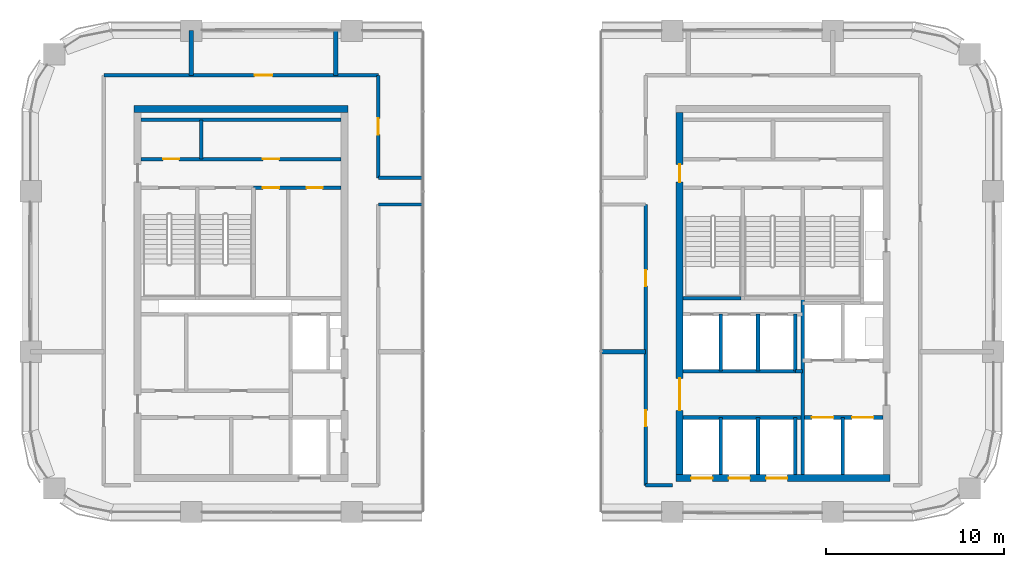
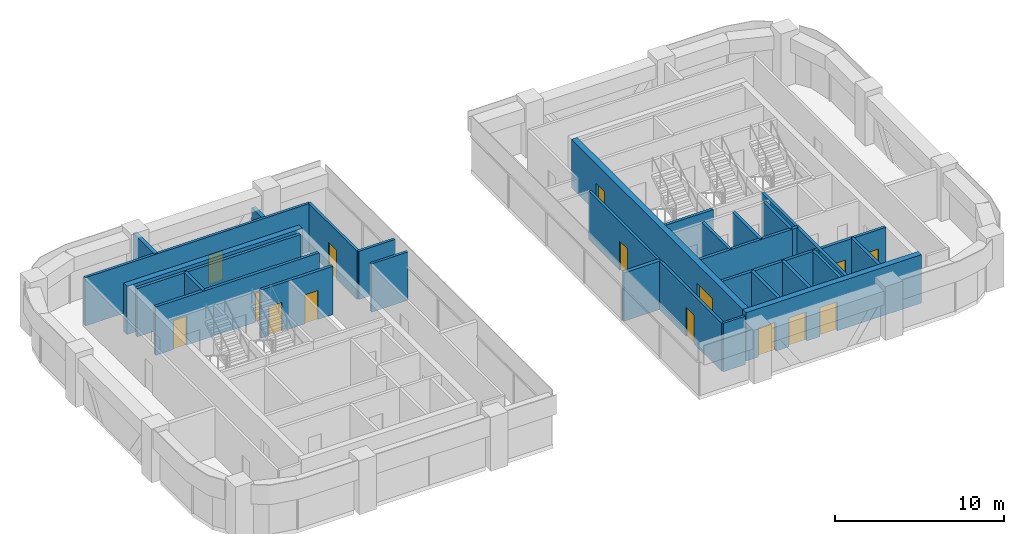
# One storey, part 7 of 11: 28 walls, 15 doors, 15 openings.
"""IFC4 building model written with IfcOpenShell, lengths in metres."""

from ifc_helpers import new_model, si_unit, direction, frame, frame_2d, origin, place, context, subcontext, project, spatial, rectangle, extrude, material, layer, layer_set, type_object, element, fill, save


model = new_model("IFC4")

# Units and contexts
model_context = context("Model", 3, precision=1e-05, world=origin(), true_north=direction((0.0, 1.0)))
body_context = subcontext(model_context, "Body", "Model", "MODEL_VIEW")
ifc_project = project(units=[si_unit("LENGTHUNIT", "METRE"), si_unit("AREAUNIT", "SQUARE_METRE"), si_unit("VOLUMEUNIT", "CUBIC_METRE"), si_unit("PLANEANGLEUNIT", "RADIAN"), si_unit("MASSUNIT", "GRAM", prefix="KILO")], contexts=[model_context])

# Site, building, storey
site_placement = place(None, origin())
site = spatial("IfcSite", under=ifc_project, at=site_placement, CompositionType="ELEMENT")
building_placement = place(site_placement, origin())
building = spatial("IfcBuilding", under=site, at=building_placement, Name="Tessera Arch", CompositionType="ELEMENT")
storey_placement = place(building_placement, frame((0.0, 0.0, 222.800048828125)))
storey = spatial("IfcBuildingStorey", under=building, at=storey_placement, Name="L53", CompositionType="ELEMENT", Elevation=222.800048828125)

# Walls
ifc_material_1 = material(Name="Gypsum board on steel stud", Category="steel")
ifc_layer_1 = layer(ifc_material_1, 0.125)
ifc_layer_set_1 = layer_set([ifc_layer_1], Name="Core partition 125 EI 60")
wall_type_1 = type_object("IfcWallType", Name="Core partition 125 EI 60", PredefinedType="PARTITIONING", material=ifc_layer_set_1)
wall_1_placement = place(storey_placement, frame((42.89990234375, 34.89990234375, 0.0), z_axis=(0.0, 0.0, 1.0), x_axis=(1.0, 0.0, 0.0)))
element("IfcWall", 1, at=wall_1_placement, inside=storey, type_object=wall_type_1, Name="L53 C1 partition wall 19", PredefinedType="PARTITIONING", context=body_context, shape_type="SweptSolid", body=[
    extrude(rectangle(XDim=0.400146484375, YDim=0.199951171875, at=frame_2d((0.2001953125, 0.0))), origin(), (0.0, 0.0, 1.0), 3.5),
])
wall_2_placement = place(storey_placement, frame((9.56005859375, 46.800048828125, 0.0), z_axis=(0.0, 0.0, 1.0), x_axis=(0.0, 1.0, 0.0)))
element("IfcWall", 2, at=wall_2_placement, inside=storey, type_object=wall_type_1, Name="L53 C2 partition wall 4", PredefinedType="PARTITIONING", context=body_context, shape_type="SweptSolid", body=[
    extrude(rectangle(XDim=2.199951171875, YDim=0.199951171875, at=frame_2d((1.10009765625, 0.0))), origin(), (0.0, 0.0, 1.0), 3.5),
])

# Wall, openings, doors
wall_3_placement = place(storey_placement, frame((12.5, 45.199951171875, 0.0), z_axis=(0.0, 0.0, 1.0), x_axis=(1.0, 0.0, 0.0)))
wall_3 = element("IfcWall", 3, at=wall_3_placement, inside=storey, type_object=wall_type_1, Name="L53 C2 partition wall 23", PredefinedType="PARTITIONING", context=body_context, shape_type="SweptSolid", body=[
    extrude(rectangle(XDim=4.89990234375, YDim=0.199951171875, at=frame_2d((2.449951171875, 0.0))), origin(), (0.0, 0.0, 1.0), 3.5),
])
opening_1_placement = place(wall_3_placement, frame((0.530029296875, 0.0, 0.0)))
opening_1 = element("IfcOpeningElement", 4, at=opening_1_placement, cuts=wall_3, Name="Opening L53-C31", PredefinedType="OPENING", context=body_context, shape_type="SweptSolid", body=[
    extrude(rectangle(XDim=0.89990234375, YDim=2.10009765625, at=frame_2d((0.449951171875, 1.050048828125))), frame((0.0, 0.10986328125, 0.0), z_axis=(0.0, -1.0, 0.0), x_axis=(1.0, 0.0, 0.0)), (0.0, 0.0, 1.0), 0.219970703125),
])
opening_2_placement = place(wall_3_placement, frame((2.97998046875, 0.0, 0.0)))
opening_2 = element("IfcOpeningElement", 5, at=opening_2_placement, cuts=wall_3, Name="Opening L53-C32", PredefinedType="OPENING", context=body_context, shape_type="SweptSolid", body=[
    extrude(rectangle(XDim=0.89990234375, YDim=2.10009765625, at=frame_2d((0.449951171875, 1.050048828125))), frame((0.0, 0.10986328125, 0.0), z_axis=(0.0, -1.0, 0.0), x_axis=(1.0, 0.0, 0.0)), (0.0, 0.0, 1.0), 0.219970703125),
])
ifc_material_2 = material(Name="Steel door leaf", Category="steel")
door_type_1 = type_object("IfcDoorType", Name="Store door FD30S 900 x 2100", OperationType="SINGLE_SWING_LEFT", PredefinedType="DOOR", material=ifc_material_2)
door_1_placement = place(opening_1_placement, origin())
door_1 = element("IfcDoor", 6, at=door_1_placement, inside=storey, type_object=door_type_1, Name="L53 C2 door 12 C31 type D09", OperationType="SINGLE_SWING_LEFT", OverallHeight=2.10009765625, OverallWidth=0.89990234375, PredefinedType="DOOR", context=body_context, shape_type="SweptSolid", body=[
    extrude(rectangle(XDim=0.89990234375, YDim=2.10009765625, at=frame_2d((0.449951171875, 1.050048828125))), frame((0.0, 0.02490234375, 0.0), z_axis=(0.0, -1.0, 0.0), x_axis=(1.0, 0.0, 0.0)), (0.0, 0.0, 1.0), 0.050048828125),
])
fill(opening_1, door_1)
door_2_placement = place(opening_2_placement, origin())
door_2 = element("IfcDoor", 7, at=door_2_placement, inside=storey, type_object=door_type_1, Name="L53 C2 door 13 C32 type D09", OperationType="SINGLE_SWING_RIGHT", OverallHeight=2.10009765625, OverallWidth=0.89990234375, PredefinedType="DOOR", context=body_context, shape_type="SweptSolid", body=[
    extrude(rectangle(XDim=0.89990234375, YDim=2.10009765625, at=frame_2d((0.449951171875, 1.050048828125))), frame((0.0, 0.02490234375, 0.0), z_axis=(0.0, -1.0, 0.0), x_axis=(1.0, 0.0, 0.0)), (0.0, 0.0, 1.0), 0.050048828125),
])
fill(opening_2, door_2)

wall_4_placement = place(storey_placement, frame((6.199951171875, 46.800048828125, 0.0), z_axis=(0.0, 0.0, 1.0), x_axis=(1.0, 0.0, 0.0)))
wall_4 = element("IfcWall", 8, at=wall_4_placement, inside=storey, type_object=wall_type_1, Name="L53 C2 partition wall 25", PredefinedType="PARTITIONING", context=body_context, shape_type="SweptSolid", body=[
    extrude(rectangle(XDim=11.199951171875, YDim=0.199951171875, at=frame_2d((5.60009765625, 0.0))), origin(), (0.0, 0.0, 1.0), 3.5),
])
opening_3_placement = place(wall_4_placement, frame((1.22998046875, 0.0, 0.0)))
opening_3 = element("IfcOpeningElement", 9, at=opening_3_placement, cuts=wall_4, Name="Opening L53-C29", PredefinedType="OPENING", context=body_context, shape_type="SweptSolid", body=[
    extrude(rectangle(XDim=0.89990234375, YDim=2.10009765625, at=frame_2d((0.449951171875, 1.050048828125))), frame((0.0, 0.10986328125, 0.0), z_axis=(0.0, -1.0, 0.0), x_axis=(1.0, 0.0, 0.0)), (0.0, 0.0, 1.0), 0.219970703125),
])
opening_4_placement = place(wall_4_placement, frame((6.830078125, 0.0, 0.0)))
opening_4 = element("IfcOpeningElement", 10, at=opening_4_placement, cuts=wall_4, Name="Opening L53-C30", PredefinedType="OPENING", context=body_context, shape_type="SweptSolid", body=[
    extrude(rectangle(XDim=0.89990234375, YDim=2.10009765625, at=frame_2d((0.449951171875, 1.050048828125))), frame((0.0, 0.10986328125, 0.0), z_axis=(0.0, -1.0, 0.0), x_axis=(1.0, 0.0, 0.0)), (0.0, 0.0, 1.0), 0.219970703125),
])
door_3_placement = place(opening_3_placement, origin())
door_3 = element("IfcDoor", 11, at=door_3_placement, inside=storey, type_object=door_type_1, Name="L53 C2 door 10 C29 type D09", OperationType="SINGLE_SWING_LEFT", OverallHeight=2.10009765625, OverallWidth=0.89990234375, PredefinedType="DOOR", context=body_context, shape_type="SweptSolid", body=[
    extrude(rectangle(XDim=0.89990234375, YDim=2.10009765625, at=frame_2d((0.449951171875, 1.050048828125))), frame((0.0, 0.02490234375, 0.0), z_axis=(0.0, -1.0, 0.0), x_axis=(1.0, 0.0, 0.0)), (0.0, 0.0, 1.0), 0.050048828125),
])
fill(opening_3, door_3)
door_4_placement = place(opening_4_placement, origin())
door_4 = element("IfcDoor", 12, at=door_4_placement, inside=storey, type_object=door_type_1, Name="L53 C2 door 11 C30 type D09", OperationType="SINGLE_SWING_RIGHT", OverallHeight=2.10009765625, OverallWidth=0.89990234375, PredefinedType="DOOR", context=body_context, shape_type="SweptSolid", body=[
    extrude(rectangle(XDim=0.89990234375, YDim=2.10009765625, at=frame_2d((0.449951171875, 1.050048828125))), frame((0.0, 0.02490234375, 0.0), z_axis=(0.0, -1.0, 0.0), x_axis=(1.0, 0.0, 0.0)), (0.0, 0.0, 1.0), 0.050048828125),
])
fill(opening_4, door_4)

# Wall
wall_5_placement = place(storey_placement, frame((6.199951171875, 49.0, 0.0), z_axis=(0.0, 0.0, 1.0), x_axis=(1.0, 0.0, 0.0)))
element("IfcWall", 13, at=wall_5_placement, inside=storey, type_object=wall_type_1, Name="L53 C2 partition wall 26", PredefinedType="PARTITIONING", context=body_context, shape_type="SweptSolid", body=[
    extrude(rectangle(XDim=11.199951171875, YDim=0.199951171875, at=frame_2d((5.60009765625, 0.0))), origin(), (0.0, 0.0, 1.0), 3.5),
])

# Wall, openings, doors
ifc_material_3 = material(Name="Concrete C50/60", Category="concrete")
ifc_layer_2 = layer(ifc_material_3, 0.39990234375)
ifc_layer_set_2 = layer_set([ifc_layer_2], Name="Core shell wall 400 C50-60")
wall_type_2 = type_object("IfcWallType", Name="Core shell wall 400 C50-60", PredefinedType="SHEAR", material=ifc_layer_set_2)
wall_6_placement = place(storey_placement, frame((36.199951171875, 28.89990234375, 0.0), z_axis=(0.0, 0.0, 1.0), x_axis=(1.0, 0.0, 0.0)))
wall_6 = element("IfcWall", 14, at=wall_6_placement, inside=storey, type_object=wall_type_2, Name="L53 C1 core wall S", PredefinedType="SHEAR", context=body_context, shape_type="SweptSolid", body=[
    extrude(rectangle(XDim=12.0, YDim=0.39990234375, at=frame_2d((6.0, 0.0))), origin(), (0.0, 0.0, 1.0), 3.5),
])
opening_5_placement = place(wall_6_placement, frame((0.85009765625, 0.0, 0.0)))
opening_5 = element("IfcOpeningElement", 15, at=opening_5_placement, cuts=wall_6, Name="Opening L53-C01", PredefinedType="OPENING", context=body_context, shape_type="SweptSolid", body=[
    extrude(rectangle(XDim=1.199951171875, YDim=2.10009765625, at=frame_2d((0.60009765625, 1.050048828125))), frame((0.0, 0.2099609375, 0.0), z_axis=(0.0, -1.0, 0.0), x_axis=(1.0, 0.0, 0.0)), (0.0, 0.0, 1.0), 0.419921875),
])
opening_6_placement = place(wall_6_placement, frame((2.949951171875, 0.0, 0.0)))
opening_6 = element("IfcOpeningElement", 16, at=opening_6_placement, cuts=wall_6, Name="Opening L53-C03", PredefinedType="OPENING", context=body_context, shape_type="SweptSolid", body=[
    extrude(rectangle(XDim=1.199951171875, YDim=2.10009765625, at=frame_2d((0.60009765625, 1.050048828125))), frame((0.0, 0.2099609375, 0.0), z_axis=(0.0, -1.0, 0.0), x_axis=(1.0, 0.0, 0.0)), (0.0, 0.0, 1.0), 0.419921875),
])
opening_7_placement = place(wall_6_placement, frame((5.050048828125, 0.0, 0.0)))
opening_7 = element("IfcOpeningElement", 17, at=opening_7_placement, cuts=wall_6, Name="Opening L53-C05", PredefinedType="OPENING", context=body_context, shape_type="SweptSolid", body=[
    extrude(rectangle(XDim=1.199951171875, YDim=2.10009765625, at=frame_2d((0.60009765625, 1.050048828125))), frame((0.0, 0.2099609375, 0.0), z_axis=(0.0, -1.0, 0.0), x_axis=(1.0, 0.0, 0.0)), (0.0, 0.0, 1.0), 0.419921875),
])
ifc_material_4 = material(Name="Stainless steel AISI 304", Category="steel")
door_type_2 = type_object("IfcDoorType", Name="Sliding landing door 1200 x 2100", OperationType="SLIDING_TO_LEFT", PredefinedType="DOOR", material=ifc_material_4)
door_5_placement = place(opening_5_placement, origin())
door_5 = element("IfcDoor", 18, at=door_5_placement, inside=storey, type_object=door_type_2, Name="L53 HR1 lift landing door C01 type LD", OperationType="SLIDING_TO_LEFT", OverallHeight=2.10009765625, OverallWidth=1.199951171875, PredefinedType="DOOR", context=body_context, shape_type="SweptSolid", body=[
    extrude(rectangle(XDim=1.199951171875, YDim=2.10009765625, at=frame_2d((0.60009765625, 1.050048828125))), frame((0.0, 0.02490234375, 0.0), z_axis=(0.0, -1.0, 0.0), x_axis=(1.0, 0.0, 0.0)), (0.0, 0.0, 1.0), 0.050048828125),
])
fill(opening_5, door_5)
door_6_placement = place(opening_6_placement, origin())
door_6 = element("IfcDoor", 19, at=door_6_placement, inside=storey, type_object=door_type_2, Name="L53 HR2 lift landing door C03 type LD", OperationType="SLIDING_TO_LEFT", OverallHeight=2.10009765625, OverallWidth=1.199951171875, PredefinedType="DOOR", context=body_context, shape_type="SweptSolid", body=[
    extrude(rectangle(XDim=1.199951171875, YDim=2.10009765625, at=frame_2d((0.60009765625, 1.050048828125))), frame((0.0, 0.02490234375, 0.0), z_axis=(0.0, -1.0, 0.0), x_axis=(1.0, 0.0, 0.0)), (0.0, 0.0, 1.0), 0.050048828125),
])
fill(opening_6, door_6)
door_7_placement = place(opening_7_placement, origin())
door_7 = element("IfcDoor", 20, at=door_7_placement, inside=storey, type_object=door_type_2, Name="L53 HR3 lift landing door C05 type LD", OperationType="SLIDING_TO_LEFT", OverallHeight=2.10009765625, OverallWidth=1.199951171875, PredefinedType="DOOR", context=body_context, shape_type="SweptSolid", body=[
    extrude(rectangle(XDim=1.199951171875, YDim=2.10009765625, at=frame_2d((0.60009765625, 1.050048828125))), frame((0.0, 0.02490234375, 0.0), z_axis=(0.0, -1.0, 0.0), x_axis=(1.0, 0.0, 0.0)), (0.0, 0.0, 1.0), 0.050048828125),
])
fill(opening_7, door_7)

wall_7_placement = place(storey_placement, frame((36.39990234375, 29.10009765625, 0.0), z_axis=(0.0, 0.0, 1.0), x_axis=(0.0, 1.0, 0.0)))
wall_7 = element("IfcWall", 21, at=wall_7_placement, inside=storey, type_object=wall_type_2, Name="L53 C1 core wall W", PredefinedType="SHEAR", context=body_context, shape_type="SweptSolid", body=[
    extrude(rectangle(XDim=20.2998046875, YDim=0.39990234375, at=frame_2d((10.14990234375, 0.0))), origin(), (0.0, 0.0, 1.0), 3.5),
])
opening_8_placement = place(wall_7_placement, frame((3.60009765625, 0.0, 0.0)))
opening_8 = element("IfcOpeningElement", 22, at=opening_8_placement, cuts=wall_7, Name="Opening L53-C10", PredefinedType="OPENING", context=body_context, shape_type="SweptSolid", body=[
    extrude(rectangle(XDim=1.800048828125, YDim=2.10009765625, at=frame_2d((0.89990234375, 1.050048828125))), frame((0.0, 0.2099609375, 0.0), z_axis=(0.0, -1.0, 0.0), x_axis=(1.0, 0.0, 0.0)), (0.0, 0.0, 1.0), 0.419921875),
])
opening_9_placement = place(wall_7_placement, frame((16.39990234375, 0.0, 0.0)))
opening_9 = element("IfcOpeningElement", 23, at=opening_9_placement, cuts=wall_7, Name="Opening L53-C17", PredefinedType="OPENING", context=body_context, shape_type="SweptSolid", body=[
    extrude(rectangle(XDim=1.0, YDim=2.10009765625, at=frame_2d((0.5, 1.050048828125))), frame((0.0, 0.2099609375, 0.0), z_axis=(0.0, -1.0, 0.0), x_axis=(1.0, 0.0, 0.0)), (0.0, 0.0, 1.0), 0.419921875),
])
ifc_material_5 = material(Name="Steel door leaf", Category="steel")
door_type_3 = type_object("IfcDoorType", Name="Corridor door FD60 1000 x 2100", OperationType="SINGLE_SWING_LEFT", PredefinedType="DOOR", material=ifc_material_5)
door_8_placement = place(opening_9_placement, origin())
door_8 = element("IfcDoor", 24, at=door_8_placement, inside=storey, type_object=door_type_3, Name="L53 C1 door 17 C17 type D12", OperationType="SINGLE_SWING_RIGHT", OverallHeight=2.10009765625, OverallWidth=1.0, PredefinedType="DOOR", context=body_context, shape_type="SweptSolid", body=[
    extrude(rectangle(XDim=1.0, YDim=2.10009765625, at=frame_2d((0.5, 1.050048828125))), frame((0.0, 0.02490234375, 0.0), z_axis=(0.0, -1.0, 0.0), x_axis=(1.0, 0.0, 0.0)), (0.0, 0.0, 1.0), 0.050048828125),
])
fill(opening_9, door_8)
ifc_material_6 = material(Name="Glazed steel door leaf", Category="steel")
door_type_4 = type_object("IfcDoorType", Name="Lobby double door FD30S 1800 x 2100", OperationType="DOUBLE_DOOR_SINGLE_SWING", PredefinedType="DOOR", material=ifc_material_6)
door_9_placement = place(opening_8_placement, origin())
door_9 = element("IfcDoor", 25, at=door_9_placement, inside=storey, type_object=door_type_4, Name="L53 C1 door 10 C10 type D06", OperationType="DOUBLE_DOOR_SINGLE_SWING", OverallHeight=2.10009765625, OverallWidth=1.800048828125, PredefinedType="DOOR", context=body_context, shape_type="SweptSolid", body=[
    extrude(rectangle(XDim=1.800048828125, YDim=2.10009765625, at=frame_2d((0.89990234375, 1.050048828125))), frame((0.0, 0.02490234375, 0.0), z_axis=(0.0, -1.0, 0.0), x_axis=(1.0, 0.0, 0.0)), (0.0, 0.0, 1.0), 0.050048828125),
])
fill(opening_8, door_9)

# Walls
wall_8_placement = place(storey_placement, frame((5.800048828125, 49.60009765625, 0.0), z_axis=(0.0, 0.0, 1.0), x_axis=(1.0, 0.0, 0.0)))
element("IfcWall", 26, at=wall_8_placement, inside=storey, type_object=wall_type_2, Name="L53 C2 core wall N", PredefinedType="SHEAR", context=body_context, shape_type="SweptSolid", body=[
    extrude(rectangle(XDim=12.0, YDim=0.39990234375, at=frame_2d((6.0, 0.0))), origin(), (0.0, 0.0, 1.0), 3.5),
])
ifc_material_7 = material(Name="Gypsum board on deep steel stud with mineral wool", Category="steel")
ifc_layer_3 = layer(ifc_material_7, 0.175048828125)
ifc_layer_set_3 = layer_set([ifc_layer_3], Name="Corridor wall 175 EI 60")
wall_type_3 = type_object("IfcWallType", Name="Corridor wall 175 EI 60", PredefinedType="PARTITIONING", material=ifc_layer_set_3)
wall_9_placement = place(storey_placement, frame((34.5, 28.5, 0.0), z_axis=(0.0, 0.0, 1.0), x_axis=(1.0, 0.0, 0.0)))
element("IfcWall", 27, at=wall_9_placement, inside=storey, type_object=wall_type_3, Name="L53 partition 3", PredefinedType="PARTITIONING", context=body_context, shape_type="SweptSolid", body=[
    extrude(rectangle(XDim=1.5, YDim=0.175048828125, at=frame_2d((0.75, 0.0))), origin(), (0.0, 0.0, 1.0), 3.5),
])
for number, where, z_axis, x_axis, name in (
    (28, (19.5, 44.25, 0.0), (0.0, 0.0, 1.0), (1.0, 0.0, 0.0), "L53 partition 5"),
    (29, (19.5, 45.75, 0.0), (0.0, 0.0, 1.0), (1.0, 0.0, 0.0), "L53 partition 7"),
):
    element("IfcWall", number, at=place(storey_placement, frame(where, z_axis=z_axis, x_axis=x_axis)), inside=storey, type_object=wall_type_3, Name=name, PredefinedType="PARTITIONING", context=body_context, shape_type="SweptSolid", body=[
        extrude(rectangle(XDim=2.5, YDim=0.175048828125, at=frame_2d((1.25, 0.0))), origin(), (0.0, 0.0, 1.0), 3.5),
    ])

# Wall, opening, door
wall_10_placement = place(storey_placement, frame((4.10009765625, 51.5, 0.0), z_axis=(0.0, 0.0, 1.0), x_axis=(1.0, 0.0, 0.0)))
wall_10 = element("IfcWall", 30, at=wall_10_placement, inside=storey, type_object=wall_type_3, Name="L53 partition 9", PredefinedType="PARTITIONING", context=body_context, shape_type="SweptSolid", body=[
    extrude(rectangle(XDim=15.39990234375, YDim=0.175048828125, at=frame_2d((7.699951171875, 0.0))), origin(), (0.0, 0.0, 1.0), 3.5),
])
opening_10_placement = place(wall_10_placement, frame((8.455078125, 0.0, 0.0)))
opening_10 = element("IfcOpeningElement", 31, at=opening_10_placement, cuts=wall_10, Name="Opening L53-D009", PredefinedType="OPENING", context=body_context, shape_type="SweptSolid", body=[
    extrude(rectangle(XDim=1.0, YDim=2.10009765625, at=frame_2d((0.5, 1.050048828125))), frame((0.0, 0.097412109375, 0.0), z_axis=(0.0, -1.0, 0.0), x_axis=(1.0, 0.0, 0.0)), (0.0, 0.0, 1.0), 0.195068359375),
])
ifc_material_8 = material(Name="Fire-rated door leaf")
door_type_5 = type_object("IfcDoorType", Name="Entrance door FD30S 1000 x 2100", OperationType="SINGLE_SWING_LEFT", PredefinedType="DOOR", material=ifc_material_8)
door_10_placement = place(opening_10_placement, origin())
door_10 = element("IfcDoor", 32, at=door_10_placement, inside=storey, type_object=door_type_5, Name="L53 door D009 type D03", OperationType="SINGLE_SWING_LEFT", OverallHeight=2.10009765625, OverallWidth=1.0, PredefinedType="DOOR", context=body_context, shape_type="SweptSolid", body=[
    extrude(rectangle(XDim=1.0, YDim=2.10009765625, at=frame_2d((0.5, 1.050048828125))), frame((0.0, 0.02490234375, 0.0), z_axis=(0.0, -1.0, 0.0), x_axis=(1.0, 0.0, 0.0)), (0.0, 0.0, 1.0), 0.050048828125),
])
fill(opening_10, door_10)

wall_11_placement = place(storey_placement, frame((19.5, 45.75, 0.0), z_axis=(0.0, 0.0, 1.0), x_axis=(0.0, 1.0, 0.0)))
wall_11 = element("IfcWall", 33, at=wall_11_placement, inside=storey, type_object=wall_type_3, Name="L53 partition 13", PredefinedType="PARTITIONING", context=body_context, shape_type="SweptSolid", body=[
    extrude(rectangle(XDim=5.75, YDim=0.175048828125, at=frame_2d((2.875, 0.0))), origin(), (0.0, 0.0, 1.0), 3.5),
])
opening_11_placement = place(wall_11_placement, frame((2.425048828125, 0.0, 0.0)))
opening_11 = element("IfcOpeningElement", 34, at=opening_11_placement, cuts=wall_11, Name="Opening L53-D007", PredefinedType="OPENING", context=body_context, shape_type="SweptSolid", body=[
    extrude(rectangle(XDim=0.89990234375, YDim=2.10009765625, at=frame_2d((0.449951171875, 1.050048828125))), frame((0.0, 0.097412109375, 0.0), z_axis=(0.0, -1.0, 0.0), x_axis=(1.0, 0.0, 0.0)), (0.0, 0.0, 1.0), 0.195068359375),
])
ifc_material_9 = material(Name="Timber door leaf", Category="wood")
door_type_6 = type_object("IfcDoorType", Name="Room door 900 x 2100", OperationType="SINGLE_SWING_LEFT", PredefinedType="DOOR", material=ifc_material_9)
door_11_placement = place(opening_11_placement, origin())
door_11 = element("IfcDoor", 35, at=door_11_placement, inside=storey, type_object=door_type_6, Name="L53 door D007 type D01", OperationType="SINGLE_SWING_RIGHT", OverallHeight=2.10009765625, OverallWidth=0.89990234375, PredefinedType="DOOR", context=body_context, shape_type="SweptSolid", body=[
    extrude(rectangle(XDim=0.89990234375, YDim=2.10009765625, at=frame_2d((0.449951171875, 1.050048828125))), frame((0.0, 0.02490234375, 0.0), z_axis=(0.0, -1.0, 0.0), x_axis=(1.0, 0.0, 0.0)), (0.0, 0.0, 1.0), 0.050048828125),
])
fill(opening_11, door_11)

# Wall, openings, doors
wall_12_placement = place(storey_placement, frame((34.5, 28.5, 0.0), z_axis=(0.0, 0.0, 1.0), x_axis=(0.0, 1.0, 0.0)))
wall_12 = element("IfcWall", 36, at=wall_12_placement, inside=storey, type_object=wall_type_3, Name="L53 partition 14", PredefinedType="PARTITIONING", context=body_context, shape_type="SweptSolid", body=[
    extrude(rectangle(XDim=15.75, YDim=0.175048828125, at=frame_2d((7.875, 0.0))), origin(), (0.0, 0.0, 1.0), 3.5),
])
opening_12_placement = place(wall_12_placement, frame((3.300048828125, 0.0, 0.0)))
opening_12 = element("IfcOpeningElement", 37, at=opening_12_placement, cuts=wall_12, Name="Opening L53-D002", PredefinedType="OPENING", context=body_context, shape_type="SweptSolid", body=[
    extrude(rectangle(XDim=0.89990234375, YDim=2.10009765625, at=frame_2d((0.449951171875, 1.050048828125))), frame((0.0, 0.097412109375, 0.0), z_axis=(0.0, -1.0, 0.0), x_axis=(1.0, 0.0, 0.0)), (0.0, 0.0, 1.0), 0.195068359375),
])
opening_13_placement = place(wall_12_placement, frame((11.175048828125, 0.0, 0.0)))
opening_13 = element("IfcOpeningElement", 38, at=opening_13_placement, cuts=wall_12, Name="Opening L53-D004", PredefinedType="OPENING", context=body_context, shape_type="SweptSolid", body=[
    extrude(rectangle(XDim=0.89990234375, YDim=2.10009765625, at=frame_2d((0.449951171875, 1.050048828125))), frame((0.0, 0.097412109375, 0.0), z_axis=(0.0, -1.0, 0.0), x_axis=(1.0, 0.0, 0.0)), (0.0, 0.0, 1.0), 0.195068359375),
])
door_12_placement = place(opening_12_placement, origin())
door_12 = element("IfcDoor", 39, at=door_12_placement, inside=storey, type_object=door_type_6, Name="L53 door D002 type D01", OperationType="SINGLE_SWING_RIGHT", OverallHeight=2.10009765625, OverallWidth=0.89990234375, PredefinedType="DOOR", context=body_context, shape_type="SweptSolid", body=[
    extrude(rectangle(XDim=0.89990234375, YDim=2.10009765625, at=frame_2d((0.449951171875, 1.050048828125))), frame((0.0, 0.02490234375, 0.0), z_axis=(0.0, -1.0, 0.0), x_axis=(1.0, 0.0, 0.0)), (0.0, 0.0, 1.0), 0.050048828125),
])
fill(opening_12, door_12)
door_13_placement = place(opening_13_placement, origin())
door_13 = element("IfcDoor", 40, at=door_13_placement, inside=storey, type_object=door_type_6, Name="L53 door D004 type D01", OperationType="SINGLE_SWING_RIGHT", OverallHeight=2.10009765625, OverallWidth=0.89990234375, PredefinedType="DOOR", context=body_context, shape_type="SweptSolid", body=[
    extrude(rectangle(XDim=0.89990234375, YDim=2.10009765625, at=frame_2d((0.449951171875, 1.050048828125))), frame((0.0, 0.02490234375, 0.0), z_axis=(0.0, -1.0, 0.0), x_axis=(1.0, 0.0, 0.0)), (0.0, 0.0, 1.0), 0.050048828125),
])
fill(opening_13, door_13)

# Walls
ifc_material_10 = material(Name="Double gypsum board on twin steel stud with acoustic mineral wool", Category="steel")
ifc_layer_4 = layer(ifc_material_10, 0.25)
ifc_layer_set_4 = layer_set([ifc_layer_4], Name="Party wall 250 EI 60")
wall_type_4 = type_object("IfcWallType", Name="Party wall 250 EI 60", PredefinedType="PARTITIONING", material=ifc_layer_set_4)
for number, where, z_axis, x_axis, name in (
    (41, (32.0, 36.0, 0.0), (0.0, 0.0, 1.0), (1.0, 0.0, 0.0), "L53 partition 19"),
    (42, (9.0, 51.5, 0.0), (0.0, 0.0, 1.0), (0.0, 1.0, 0.0), "L53 partition 21"),
):
    element("IfcWall", number, at=place(storey_placement, frame(where, z_axis=z_axis, x_axis=x_axis)), inside=storey, type_object=wall_type_4, Name=name, PredefinedType="PARTITIONING", context=body_context, shape_type="SweptSolid", body=[
        extrude(rectangle(XDim=2.5, YDim=0.25, at=frame_2d((1.25, 0.0))), origin(), (0.0, 0.0, 1.0), 3.5),
    ])
wall_13_placement = place(storey_placement, frame((17.110107421875, 51.5, 0.0), z_axis=(0.0, 0.0, 1.0), x_axis=(0.0, 1.0, 0.0)))
element("IfcWall", 43, at=wall_13_placement, inside=storey, type_object=wall_type_4, Name="L53 partition 22", PredefinedType="PARTITIONING", context=body_context, shape_type="SweptSolid", body=[
    extrude(rectangle(XDim=2.5, YDim=0.25, at=frame_2d((1.25, 0.0))), origin(), (0.0, 0.0, 1.0), 2.5),
])
ifc_material_11 = material(Name="Concrete C40/50", Category="concrete")
ifc_layer_5 = layer(ifc_material_11, 0.199951171875)
ifc_layer_set_5 = layer_set([ifc_layer_5], Name="Shaft wall 200 EI 120")
wall_type_5 = type_object("IfcWallType", Name="Shaft wall 200 EI 120", PredefinedType="SOLIDWALL", material=ifc_layer_set_5)
wall_14_placement = place(storey_placement, frame((38.699951171875, 29.10009765625, 0.0), z_axis=(0.0, 0.0, 1.0), x_axis=(0.0, 1.0, 0.0)))
element("IfcWall", 44, at=wall_14_placement, inside=storey, type_object=wall_type_5, Name="L53 C1 shaft wall 1", PredefinedType="SOLIDWALL", context=body_context, shape_type="SweptSolid", body=[
    extrude(rectangle(XDim=3.199951171875, YDim=0.199951171875, at=frame_2d((1.60009765625, 0.0))), origin(), (0.0, 0.0, 1.0), 3.5),
])
wall_15_placement = place(storey_placement, frame((38.699951171875, 34.89990234375, 0.0), z_axis=(0.0, 0.0, 1.0), x_axis=(0.0, 1.0, 0.0)))
element("IfcWall", 45, at=wall_15_placement, inside=storey, type_object=wall_type_5, Name="L53 C1 shaft wall 2", PredefinedType="SOLIDWALL", context=body_context, shape_type="SweptSolid", body=[
    extrude(rectangle(XDim=3.2001953125, YDim=0.199951171875, at=frame_2d((1.60009765625, 0.0))), origin(), (0.0, 0.0, 1.0), 3.5),
])
wall_16_placement = place(storey_placement, frame((40.800048828125, 29.10009765625, 0.0), z_axis=(0.0, 0.0, 1.0), x_axis=(0.0, 1.0, 0.0)))
element("IfcWall", 46, at=wall_16_placement, inside=storey, type_object=wall_type_5, Name="L53 C1 shaft wall 5", PredefinedType="SOLIDWALL", context=body_context, shape_type="SweptSolid", body=[
    extrude(rectangle(XDim=3.199951171875, YDim=0.199951171875, at=frame_2d((1.60009765625, 0.0))), origin(), (0.0, 0.0, 1.0), 3.5),
])
wall_17_placement = place(storey_placement, frame((40.800048828125, 34.89990234375, 0.0), z_axis=(0.0, 0.0, 1.0), x_axis=(0.0, 1.0, 0.0)))
element("IfcWall", 47, at=wall_17_placement, inside=storey, type_object=wall_type_5, Name="L53 C1 shaft wall 6", PredefinedType="SOLIDWALL", context=body_context, shape_type="SweptSolid", body=[
    extrude(rectangle(XDim=3.2001953125, YDim=0.199951171875, at=frame_2d((1.60009765625, 0.0))), origin(), (0.0, 0.0, 1.0), 3.5),
])
wall_18_placement = place(storey_placement, frame((42.89990234375, 29.10009765625, 0.0), z_axis=(0.0, 0.0, 1.0), x_axis=(0.0, 1.0, 0.0)))
element("IfcWall", 48, at=wall_18_placement, inside=storey, type_object=wall_type_5, Name="L53 C1 shaft wall 8", PredefinedType="SOLIDWALL", context=body_context, shape_type="SweptSolid", body=[
    extrude(rectangle(XDim=3.199951171875, YDim=0.199951171875, at=frame_2d((1.60009765625, 0.0))), origin(), (0.0, 0.0, 1.0), 3.5),
])
wall_19_placement = place(storey_placement, frame((42.89990234375, 34.89990234375, 0.0), z_axis=(0.0, 0.0, 1.0), x_axis=(0.0, 1.0, 0.0)))
element("IfcWall", 49, at=wall_19_placement, inside=storey, type_object=wall_type_5, Name="L53 C1 shaft wall 9", PredefinedType="SOLIDWALL", context=body_context, shape_type="SweptSolid", body=[
    extrude(rectangle(XDim=3.2001953125, YDim=0.199951171875, at=frame_2d((1.60009765625, 0.0))), origin(), (0.0, 0.0, 1.0), 3.5),
])
wall_20_placement = place(storey_placement, frame((43.300048828125, 29.10009765625, 0.0), z_axis=(0.0, 0.0, 1.0), x_axis=(0.0, 1.0, 0.0)))
element("IfcWall", 50, at=wall_20_placement, inside=storey, type_object=wall_type_5, Name="L53 C1 shaft wall 10", PredefinedType="SOLIDWALL", context=body_context, shape_type="SweptSolid", body=[
    extrude(rectangle(XDim=9.89990234375, YDim=0.199951171875, at=frame_2d((4.949951171875, 0.0))), origin(), (0.0, 0.0, 1.0), 3.5),
])
wall_21_placement = place(storey_placement, frame((45.550048828125, 29.10009765625, 0.0), z_axis=(0.0, 0.0, 1.0), x_axis=(0.0, 1.0, 0.0)))
element("IfcWall", 51, at=wall_21_placement, inside=storey, type_object=wall_type_5, Name="L53 C1 shaft wall 13", PredefinedType="SOLIDWALL", context=body_context, shape_type="SweptSolid", body=[
    extrude(rectangle(XDim=3.199951171875, YDim=0.199951171875, at=frame_2d((1.60009765625, 0.0))), origin(), (0.0, 0.0, 1.0), 3.5),
])

# Wall, openings, doors
wall_22_placement = place(storey_placement, frame((36.60009765625, 32.300048828125, 0.0), z_axis=(0.0, 0.0, 1.0), x_axis=(1.0, 0.0, 0.0)))
wall_22 = element("IfcWall", 52, at=wall_22_placement, inside=storey, type_object=wall_type_5, Name="L53 C1 shaft wall 18", PredefinedType="SOLIDWALL", context=body_context, shape_type="SweptSolid", body=[
    extrude(rectangle(XDim=11.199951171875, YDim=0.199951171875, at=frame_2d((5.60009765625, 0.0))), origin(), (0.0, 0.0, 1.0), 3.5),
])
opening_14_placement = place(wall_22_placement, frame((7.22509765625, 0.0, 0.0)))
opening_14 = element("IfcOpeningElement", 53, at=opening_14_placement, cuts=wall_22, Name="Opening L53-C07", PredefinedType="OPENING", context=body_context, shape_type="SweptSolid", body=[
    extrude(rectangle(XDim=1.199951171875, YDim=2.10009765625, at=frame_2d((0.60009765625, 1.050048828125))), frame((0.0, 0.10986328125, 0.0), z_axis=(0.0, -1.0, 0.0), x_axis=(1.0, 0.0, 0.0)), (0.0, 0.0, 1.0), 0.219970703125),
])
opening_15_placement = place(wall_22_placement, frame((9.47509765625, 0.0, 0.0)))
opening_15 = element("IfcOpeningElement", 54, at=opening_15_placement, cuts=wall_22, Name="Opening L53-C08", PredefinedType="OPENING", context=body_context, shape_type="SweptSolid", body=[
    extrude(rectangle(XDim=1.199951171875, YDim=2.10009765625, at=frame_2d((0.60009765625, 1.050048828125))), frame((0.0, 0.10986328125, 0.0), z_axis=(0.0, -1.0, 0.0), x_axis=(1.0, 0.0, 0.0)), (0.0, 0.0, 1.0), 0.219970703125),
])
door_14_placement = place(opening_14_placement, origin())
door_14 = element("IfcDoor", 55, at=door_14_placement, inside=storey, type_object=door_type_2, Name="L53 FF1 lift landing door C07 type LD", OperationType="SLIDING_TO_LEFT", OverallHeight=2.10009765625, OverallWidth=1.199951171875, PredefinedType="DOOR", context=body_context, shape_type="SweptSolid", body=[
    extrude(rectangle(XDim=1.199951171875, YDim=2.10009765625, at=frame_2d((0.60009765625, 1.050048828125))), frame((0.0, 0.02490234375, 0.0), z_axis=(0.0, -1.0, 0.0), x_axis=(1.0, 0.0, 0.0)), (0.0, 0.0, 1.0), 0.050048828125),
])
fill(opening_14, door_14)
door_15_placement = place(opening_15_placement, origin())
door_15 = element("IfcDoor", 56, at=door_15_placement, inside=storey, type_object=door_type_2, Name="L53 FF2 lift landing door C08 type LD", OperationType="SLIDING_TO_LEFT", OverallHeight=2.10009765625, OverallWidth=1.199951171875, PredefinedType="DOOR", context=body_context, shape_type="SweptSolid", body=[
    extrude(rectangle(XDim=1.199951171875, YDim=2.10009765625, at=frame_2d((0.60009765625, 1.050048828125))), frame((0.0, 0.02490234375, 0.0), z_axis=(0.0, -1.0, 0.0), x_axis=(1.0, 0.0, 0.0)), (0.0, 0.0, 1.0), 0.050048828125),
])
fill(opening_15, door_15)

# Walls
wall_23_placement = place(storey_placement, frame((36.60009765625, 34.89990234375, 0.0), z_axis=(0.0, 0.0, 1.0), x_axis=(1.0, 0.0, 0.0)))
element("IfcWall", 57, at=wall_23_placement, inside=storey, type_object=wall_type_5, Name="L53 C1 shaft wall 20", PredefinedType="SOLIDWALL", context=body_context, shape_type="SweptSolid", body=[
    extrude(rectangle(XDim=6.2998046875, YDim=0.199951171875, at=frame_2d((3.14990234375, 0.0))), origin(), (0.0, 0.0, 1.0), 3.5),
])
ifc_material_12 = material(Name="Concrete C40/50", Category="concrete")
ifc_layer_6 = layer(ifc_material_12, 0.199951171875)
ifc_layer_set_6 = layer_set([ifc_layer_6], Name="Stair well wall 200 REI 180")
wall_type_6 = type_object("IfcWallType", Name="Stair well wall 200 REI 180", PredefinedType="SOLIDWALL", material=ifc_layer_set_6)
wall_24_placement = place(storey_placement, frame((36.60009765625, 39.0, 0.0), z_axis=(0.0, 0.0, 1.0), x_axis=(1.0, 0.0, 0.0)))
element("IfcWall", 58, at=wall_24_placement, inside=storey, type_object=wall_type_6, Name="L53 C1 shaft wall 24", PredefinedType="SOLIDWALL", context=body_context, shape_type="SweptSolid", body=[
    extrude(rectangle(XDim=3.25, YDim=0.199951171875, at=frame_2d((1.625, 0.0))), origin(), (0.0, 0.0, 1.0), 3.5),
])

save(model, "model.ifc")
